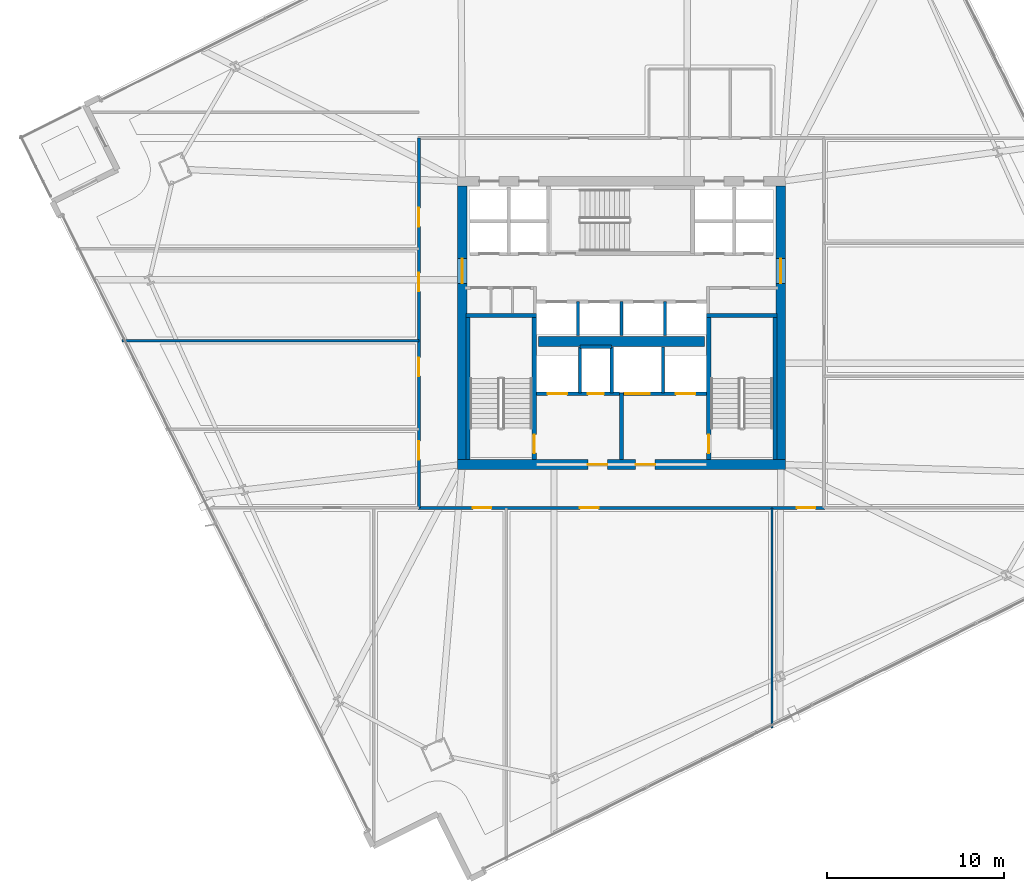
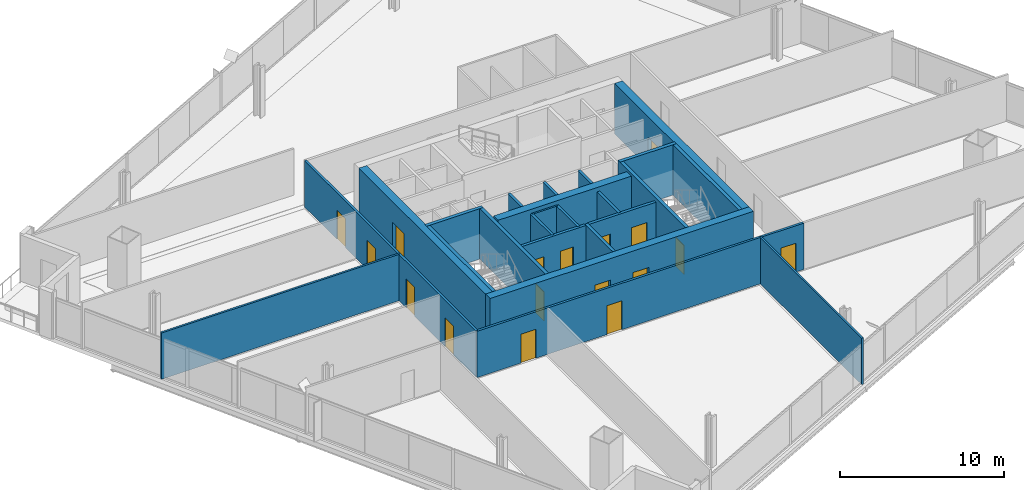
# One storey, part 26 of 35: 24 walls, 17 doors, 17 openings.
"""IFC4 building model written with IfcOpenShell, lengths in metres."""

import ifcopenshell
import ifcopenshell.guid

model = None  # the IFC model being written
_history = None  # IfcOwnerHistory: only IFC2X3 demands one
_inside = {}  # id of a spatial element -> (the spatial element, [elements in it])
_under = {}  # id of a project, library or spatial element -> (it, [spatial elements below it])
_declared = {}  # id of a project -> (the project, [libraries it declares])
_typed = {}  # id of a type object -> (the type object, [elements of that type])
_made_of = {}  # id of a material, layer set ... -> (it, [elements and type objects made of it])


def new_model(schema):
    """Start an empty IFC model of exactly this schema.

    Asked for "IFC4X3", IfcOpenShell would pick the latest addendum, in which some entities
    have other attributes; the version numbers below select the first issue.
    IFC2X3 requires an IfcOwnerHistory on every rooted entity: one is made here for all.
    """
    global model, _history
    if schema == "IFC4X3":
        model = ifcopenshell.file(schema_version=(4, 3, 0, 0))
    else:
        model = ifcopenshell.file(schema=schema)
    _inside.clear()
    _under.clear()
    _declared.clear()
    _typed.clear()
    _made_of.clear()
    _history = None
    if model.schema == "IFC2X3":
        org = make("IfcOrganization", Name="unknown")
        user = make(
            "IfcPersonAndOrganization",
            ThePerson=make("IfcPerson", FamilyName="unknown"),
            TheOrganization=org,
        )
        app = make(
            "IfcApplication",
            ApplicationDeveloper=org,
            Version="unknown",
            ApplicationFullName="unknown",
            ApplicationIdentifier="unknown",
        )
        _history = make(
            "IfcOwnerHistory",
            OwningUser=user,
            OwningApplication=app,
            ChangeAction="ADDED",
            CreationDate=0,
        )
    return model


def make(cls, **values):
    """One entity of the class cls with the attributes given. An attribute that is None is left unset."""
    return model.create_entity(
        cls, **{name: value for name, value in values.items() if value is not None}
    )


def rooted(cls, **values):
    """An entity with a GlobalId (a new one), such as an element, a storey or a relation."""
    return make(cls, GlobalId=ifcopenshell.guid.new(), OwnerHistory=_history, **values)


def si_unit(unit_type, name, prefix=None):
    """IfcSIUnit, for example si_unit("LENGTHUNIT", "METRE", prefix="MILLI")."""
    return make("IfcSIUnit", UnitType=unit_type, Prefix=prefix, Name=name)


def assignment(units):
    """IfcUnitAssignment: the units of a project."""
    return None if units is None else make("IfcUnitAssignment", Units=units)


def point(xyz):
    """IfcCartesianPoint."""
    return None if xyz is None else make("IfcCartesianPoint", Coordinates=xyz)


def direction(xyz):
    """IfcDirection."""
    return None if xyz is None else make("IfcDirection", DirectionRatios=xyz)


def frame(location, z_axis=None, x_axis=None):
    """IfcAxis2Placement3D, a coordinate frame: its origin and axes. An axis left out is left unset."""
    return make(
        "IfcAxis2Placement3D",
        Location=point(location),
        Axis=direction(z_axis),
        RefDirection=direction(x_axis),
    )


def frame_2d(location, x_axis=None):
    """IfcAxis2Placement2D, a coordinate frame in the plane: its origin and x axis."""
    return make(
        "IfcAxis2Placement2D", Location=point(location), RefDirection=direction(x_axis)
    )


def origin():
    """The frame at (0, 0, 0) with its axes left unset."""
    return frame((0.0, 0.0, 0.0))


def place(relative_to, where):
    """IfcLocalPlacement: puts the frame where relative to a parent placement (None: the world)."""
    return make(
        "IfcLocalPlacement", PlacementRelTo=relative_to, RelativePlacement=where
    )


def context(
    kind, dimensions, precision=None, world=None, true_north=None, identifier=None
):
    """IfcGeometricRepresentationContext, for example the 3D "Model" context."""
    return make(
        "IfcGeometricRepresentationContext",
        ContextIdentifier=identifier,
        ContextType=kind,
        CoordinateSpaceDimension=dimensions,
        Precision=precision,
        WorldCoordinateSystem=world,
        TrueNorth=true_north,
    )


def subcontext(parent, identifier, kind, view, scale=None):
    """IfcGeometricRepresentationSubContext, for example "Body" below "Model"."""
    return make(
        "IfcGeometricRepresentationSubContext",
        ContextIdentifier=identifier,
        ContextType=kind,
        ParentContext=parent,
        TargetScale=scale,
        TargetView=view,
    )


def project(units=None, contexts=None):
    """IfcProject with its units and contexts."""
    return rooted(
        "IfcProject",
        Name="project",
        RepresentationContexts=contexts,
        UnitsInContext=assignment(units),
    )


def spatial(cls, under=None, at=None, **own):
    """A site, building, storey or space (cls), placed at a placement, below another one or the project."""
    s = rooted(cls, ObjectPlacement=at, **own)
    if under is not None:
        _under.setdefault(under.id(), (under, []))[1].append(s)
    return s


def profile(cls, at=None, kind="AREA", **sizes):
    """A parametric profile (cls). Its sizes go by their IFC names, for example OverallWidth=200.0."""
    return make(cls, ProfileType=kind, Position=at, **sizes)


def rectangle(**sizes):
    """IfcRectangleProfileDef."""
    return profile("IfcRectangleProfileDef", **sizes)


def extrude(swept, where, along, depth):
    """IfcExtrudedAreaSolid: the profile swept, set in the frame where, extruded along a direction by depth."""
    return make(
        "IfcExtrudedAreaSolid",
        SweptArea=swept,
        Position=where,
        ExtrudedDirection=direction(along),
        Depth=depth,
    )


def shape(context_of_items, identifier, shape_type, items):
    """IfcShapeRepresentation: the items that make up one representation, for example the "Body"."""
    return make(
        "IfcShapeRepresentation",
        ContextOfItems=context_of_items,
        RepresentationIdentifier=identifier,
        RepresentationType=shape_type,
        Items=items,
    )


def material(Name=None, Category=None):
    """IfcMaterial."""
    return make("IfcMaterial", Name=Name, Category=Category)


def layer(
    of_material, thickness, ventilated=None, Name=None, Category=None, Priority=None
):
    """IfcMaterialLayer: one layer of a wall or slab, of a material (None: an air gap)."""
    return make(
        "IfcMaterialLayer",
        Material=of_material,
        LayerThickness=thickness,
        IsVentilated=ventilated,
        Name=Name,
        Category=Category,
        Priority=Priority,
    )


def layer_set(layers, Name=None):
    """IfcMaterialLayerSet."""
    return make("IfcMaterialLayerSet", MaterialLayers=layers, LayerSetName=Name)


def made_of(thing, what):
    """Note that an element or type object is made of a material, layer set ...; save() writes the relation."""
    if what is not None:
        _made_of.setdefault(what.id(), (what, []))[1].append(thing)
    return thing


def type_object(cls, material=None, **own):
    """A type object (cls), such as IfcWallType, which elements share."""
    return made_of(rooted(cls, **own), material)


def element(
    cls,
    number,
    at=None,
    inside=None,
    cuts=None,
    type_object=None,
    material=None,
    context=None,
    identifier="Body",
    shape_type=None,
    held_by="IfcProductDefinitionShape",
    body=None,
    shapes=None,
    **own,
):
    """One element of the class cls, such as IfcWall. Its Tag is "e" and its number.

    at: its placement. inside: the storey or other place that contains it. cuts: it is an
    opening in that element (IfcRelVoidsElement). A single representation is given by context,
    identifier, shape_type and body (its items); several are given by shapes. held_by: the class
    of the entity that holds the representations. save() writes the other relations.
    """
    e = rooted(cls, Tag="e%d" % number, ObjectPlacement=at, **own)
    if body is not None:
        shapes = [shape(context, identifier, shape_type, body)]
    if shapes is not None:
        e.Representation = make(held_by, Representations=shapes)
    if inside is not None:
        _inside.setdefault(inside.id(), (inside, []))[1].append(e)
    if cuts is not None:
        rooted(
            "IfcRelVoidsElement", RelatingBuildingElement=cuts, RelatedOpeningElement=e
        )
    if type_object is not None:
        _typed.setdefault(type_object.id(), (type_object, []))[1].append(e)
    return made_of(e, material)


def fill(opening, filler):
    """IfcRelFillsElement: the door or window that sits in an opening."""
    return rooted(
        "IfcRelFillsElement",
        RelatingOpeningElement=opening,
        RelatedBuildingElement=filler,
    )


def aggregate(whole, parts):
    """IfcRelAggregates: a whole, such as a stair, and the parts it consists of."""
    return rooted("IfcRelAggregates", RelatingObject=whole, RelatedObjects=parts)


def save(model, path):
    """Write the relations noted so far, then the file.

    IfcRelAggregates (storeys below a building ...), IfcRelContainedInSpatialStructure (elements
    in a storey), IfcRelDefinesByType, IfcRelAssociatesMaterial and IfcRelDeclares: one each for
    every whole, place, type object, material and project.
    """
    for whole, parts in _under.values():
        aggregate(whole, parts)
    for where, things in _inside.values():
        rooted(
            "IfcRelContainedInSpatialStructure",
            RelatedElements=things,
            RelatingStructure=where,
        )
    for kind, things in _typed.values():
        rooted("IfcRelDefinesByType", RelatedObjects=things, RelatingType=kind)
    for what, things in _made_of.values():
        rooted("IfcRelAssociatesMaterial", RelatedObjects=things, RelatingMaterial=what)
    for by, libraries in _declared.values():
        rooted("IfcRelDeclares", RelatingContext=by, RelatedDefinitions=libraries)
    model.write(path)


model = new_model("IFC4")

# Units and contexts
model_context = context("Model", 3, precision=1e-05, world=origin(), true_north=direction((0.0, 1.0)))
body_context = subcontext(model_context, "Body", "Model", "MODEL_VIEW")
ifc_project = project(units=[si_unit("LENGTHUNIT", "METRE"), si_unit("AREAUNIT", "SQUARE_METRE"), si_unit("VOLUMEUNIT", "CUBIC_METRE"), si_unit("PLANEANGLEUNIT", "RADIAN"), si_unit("MASSUNIT", "GRAM", prefix="KILO")], contexts=[model_context])

# Site, building, storey
site_placement = place(None, origin())
site = spatial("IfcSite", under=ifc_project, at=site_placement, CompositionType="ELEMENT")
building_placement = place(site_placement, origin())
building = spatial("IfcBuilding", under=site, at=building_placement, Name="Haldenkirk Collegiate Tower", CompositionType="ELEMENT")
storey_placement = place(building_placement, frame((0.0, 0.0, 116.699951171875)))
storey = spatial("IfcBuildingStorey", under=building, at=storey_placement, Name="L28", CompositionType="ELEMENT", Elevation=116.699951171875)

# Wall, openings, doors
ifc_material_1 = material(Name="Concrete f'c 70 MPa", Category="concrete")
ifc_layer_1 = layer(ifc_material_1, 0.550048828125)
ifc_layer_set_1 = layer_set([ifc_layer_1], Name="Concrete f'c 70 MPa")
wall_type_1 = type_object("IfcWallType", Name="WL-CORE-550", PredefinedType="SHEAR", material=ifc_layer_set_1)
wall_1_placement = place(storey_placement, frame((26.72509765625, 18.0, 0.0), z_axis=(0.0, 0.0, 1.0), x_axis=(1.0, 0.0, 0.0)))
wall_1 = element("IfcWall", 1, at=wall_1_placement, inside=storey, type_object=wall_type_1, Name="L28 central core shear wall S", PredefinedType="SHEAR", context=body_context, shape_type="SweptSolid", body=[
    extrude(rectangle(XDim=18.5498046875, YDim=0.550048828125, at=frame_2d((9.27490234375, 0.0))), origin(), (0.0, 0.0, 1.0), 3.75),
])
opening_1_placement = place(wall_1_placement, frame((7.375, 0.0, 0.0)))
opening_1 = element("IfcOpeningElement", 2, at=opening_1_placement, cuts=wall_1, Name="Opening D-02", PredefinedType="OPENING", context=body_context, shape_type="SweptSolid", body=[
    extrude(rectangle(XDim=1.10009765625, YDim=2.14990234375, at=frame_2d((0.550048828125, 1.074951171875))), frame((0.0, 0.284912109375, 0.0), z_axis=(0.0, -1.0, 0.0), x_axis=(1.0, 0.0, 0.0)), (0.0, 0.0, 1.0), 0.570068359375),
])
opening_2_placement = place(wall_1_placement, frame((10.074951171875, 0.0, 0.0)))
opening_2 = element("IfcOpeningElement", 3, at=opening_2_placement, cuts=wall_1, Name="Opening D-02", PredefinedType="OPENING", context=body_context, shape_type="SweptSolid", body=[
    extrude(rectangle(XDim=1.10009765625, YDim=2.14990234375, at=frame_2d((0.550048828125, 1.074951171875))), frame((0.0, 0.284912109375, 0.0), z_axis=(0.0, -1.0, 0.0), x_axis=(1.0, 0.0, 0.0)), (0.0, 0.0, 1.0), 0.570068359375),
])
ifc_material_2 = material(Name="Galvanized fire-rated hollow steel door", Category="steel")
ifc_layer_2 = layer(ifc_material_2, 0.06005859375)
ifc_layer_set_2 = layer_set([ifc_layer_2], Name="Galvanized fire-rated hollow steel door")
door_type_1 = type_object("IfcDoorType", Name="DR-STAIR-FD90-1100", OperationType="NOTDEFINED", PredefinedType="DOOR", material=ifc_layer_set_2)
door_1_placement = place(opening_1_placement, origin())
door_1 = element("IfcDoor", 4, at=door_1_placement, inside=storey, type_object=door_type_1, Name="L28 Firefighting Lobby 1 door", OperationType="SINGLE_SWING_LEFT", OverallHeight=2.14990234375, OverallWidth=1.10009765625, PredefinedType="DOOR", context=body_context, shape_type="SweptSolid", body=[
    extrude(rectangle(XDim=1.10009765625, YDim=2.14990234375, at=frame_2d((0.550048828125, 1.074951171875))), frame((0.0, 0.02490234375, 0.0), z_axis=(0.0, -1.0, 0.0), x_axis=(1.0, 0.0, 0.0)), (0.0, 0.0, 1.0), 0.050048828125),
])
fill(opening_1, door_1)
door_2_placement = place(opening_2_placement, origin())
door_2 = element("IfcDoor", 5, at=door_2_placement, inside=storey, type_object=door_type_1, Name="L28 Firefighting Lobby 2 door", OperationType="SINGLE_SWING_RIGHT", OverallHeight=2.14990234375, OverallWidth=1.10009765625, PredefinedType="DOOR", context=body_context, shape_type="SweptSolid", body=[
    extrude(rectangle(XDim=1.10009765625, YDim=2.14990234375, at=frame_2d((0.550048828125, 1.074951171875))), frame((0.0, 0.02490234375, 0.0), z_axis=(0.0, -1.0, 0.0), x_axis=(1.0, 0.0, 0.0)), (0.0, 0.0, 1.0), 0.050048828125),
])
fill(opening_2, door_2)

# Wall, opening, door
wall_2_placement = place(storey_placement, frame((27.0, 18.27490234375, 0.0), z_axis=(0.0, 0.0, 1.0), x_axis=(0.0, 1.0, 0.0)))
wall_2 = element("IfcWall", 6, at=wall_2_placement, inside=storey, type_object=wall_type_1, Name="L28 central core shear wall W", PredefinedType="SHEAR", context=body_context, shape_type="SweptSolid", body=[
    extrude(rectangle(XDim=15.4501953125, YDim=0.550048828125, at=frame_2d((7.72509765625, 0.0))), origin(), (0.0, 0.0, 1.0), 3.75),
])
opening_3_placement = place(wall_2_placement, frame((9.965087890625, 0.0, 0.0)))
opening_3 = element("IfcOpeningElement", 7, at=opening_3_placement, cuts=wall_2, Name="Opening D-03", PredefinedType="OPENING", context=body_context, shape_type="SweptSolid", body=[
    extrude(rectangle(XDim=1.39990234375, YDim=2.199951171875, at=frame_2d((0.699951171875, 1.10009765625))), frame((0.0, 0.284912109375, 0.0), z_axis=(0.0, -1.0, 0.0), x_axis=(1.0, 0.0, 0.0)), (0.0, 0.0, 1.0), 0.570068359375),
])
ifc_layer_3 = layer(ifc_material_2, 0.06005859375)
ifc_layer_set_3 = layer_set([ifc_layer_3], Name="Galvanized fire-rated hollow steel door")
door_type_2 = type_object("IfcDoorType", Name="DR-LOBBY-FD90-1400", OperationType="NOTDEFINED", PredefinedType="DOOR", material=ifc_layer_set_3)
door_3_placement = place(opening_3_placement, origin())
door_3 = element("IfcDoor", 8, at=door_3_placement, inside=storey, type_object=door_type_2, Name="L28 west lift lobby portal", OperationType="DOUBLE_DOOR_SINGLE_SWING", OverallHeight=2.199951171875, OverallWidth=1.39990234375, PredefinedType="DOOR", context=body_context, shape_type="SweptSolid", body=[
    extrude(rectangle(XDim=1.39990234375, YDim=2.199951171875, at=frame_2d((0.699951171875, 1.10009765625))), frame((0.0, 0.02490234375, 0.0), z_axis=(0.0, -1.0, 0.0), x_axis=(1.0, 0.0, 0.0)), (0.0, 0.0, 1.0), 0.050048828125),
])
fill(opening_3, door_3)

wall_3_placement = place(storey_placement, frame((45.0, 18.27490234375, 0.0), z_axis=(0.0, 0.0, 1.0), x_axis=(0.0, 1.0, 0.0)))
wall_3 = element("IfcWall", 9, at=wall_3_placement, inside=storey, type_object=wall_type_1, Name="L28 central core shear wall E", PredefinedType="SHEAR", context=body_context, shape_type="SweptSolid", body=[
    extrude(rectangle(XDim=15.4501953125, YDim=0.550048828125, at=frame_2d((7.72509765625, 0.0))), origin(), (0.0, 0.0, 1.0), 3.75),
])
opening_4_placement = place(wall_3_placement, frame((9.965087890625, 0.0, 0.0)))
opening_4 = element("IfcOpeningElement", 10, at=opening_4_placement, cuts=wall_3, Name="Opening D-03", PredefinedType="OPENING", context=body_context, shape_type="SweptSolid", body=[
    extrude(rectangle(XDim=1.39990234375, YDim=2.199951171875, at=frame_2d((0.699951171875, 1.10009765625))), frame((0.0, 0.284912109375, 0.0), z_axis=(0.0, -1.0, 0.0), x_axis=(1.0, 0.0, 0.0)), (0.0, 0.0, 1.0), 0.570068359375),
])
door_4_placement = place(opening_4_placement, origin())
door_4 = element("IfcDoor", 11, at=door_4_placement, inside=storey, type_object=door_type_2, Name="L28 east lift lobby portal", OperationType="DOUBLE_DOOR_SINGLE_SWING", OverallHeight=2.199951171875, OverallWidth=1.39990234375, PredefinedType="DOOR", context=body_context, shape_type="SweptSolid", body=[
    extrude(rectangle(XDim=1.39990234375, YDim=2.199951171875, at=frame_2d((0.699951171875, 1.10009765625))), frame((0.0, 0.02490234375, 0.0), z_axis=(0.0, -1.0, 0.0), x_axis=(1.0, 0.0, 0.0)), (0.0, 0.0, 1.0), 0.050048828125),
])
fill(opening_4, door_4)

# Wall
wall_4_placement = place(storey_placement, frame((31.31005859375, 24.949951171875, 0.0), z_axis=(0.0, 0.0, 1.0), x_axis=(1.0, 0.0, 0.0)))
element("IfcWall", 12, at=wall_4_placement, inside=storey, type_object=wall_type_1, Name="L28 central core spine shear wall", PredefinedType="SHEAR", context=body_context, shape_type="SweptSolid", body=[
    extrude(rectangle(XDim=9.3798828125, YDim=0.550048828125, at=frame_2d((4.68994140625, 0.0))), origin(), (0.0, 0.0, 1.0), 3.75),
])

# Wall, openings, doors
ifc_material_3 = material(Name="Acoustic fire-rated gypsum partition", Category="concrete")
ifc_layer_4 = layer(ifc_material_3, 0.159912109375)
ifc_layer_set_4 = layer_set([ifc_layer_4], Name="Acoustic fire-rated gypsum partition")
wall_type_2 = type_object("IfcWallType", Name="WL-INT-CORR-160", PredefinedType="PARTITIONING", material=ifc_layer_set_4)
wall_5_placement = place(storey_placement, frame((24.5, 15.550048828125, 0.0), z_axis=(0.0, 0.0, 1.0), x_axis=(1.0, 0.0, 0.0)))
wall_5 = element("IfcWall", 13, at=wall_5_placement, inside=storey, type_object=wall_type_2, Name="L28 interior partition IW-L28-CS", PredefinedType="PARTITIONING", context=body_context, shape_type="SweptSolid", body=[
    extrude(rectangle(XDim=23.0, YDim=0.159912109375, at=frame_2d((11.5, 0.0))), origin(), (0.0, 0.0, 1.0), 3.449951171875),
])
opening_5_placement = place(wall_5_placement, frame((3.10107421875, 0.0, 0.0)))
opening_5 = element("IfcOpeningElement", 14, at=opening_5_placement, cuts=wall_5, Name="Opening D-09", PredefinedType="OPENING", context=body_context, shape_type="SweptSolid", body=[
    extrude(rectangle(XDim=1.050048828125, YDim=2.14990234375, at=frame_2d((0.52490234375, 1.074951171875))), frame((0.0, 0.08984375, 0.0), z_axis=(0.0, -1.0, 0.0), x_axis=(1.0, 0.0, 0.0)), (0.0, 0.0, 1.0), 0.179931640625),
])
opening_6_placement = place(wall_5_placement, frame((9.155029296875, 0.0, 0.0)))
opening_6 = element("IfcOpeningElement", 15, at=opening_6_placement, cuts=wall_5, Name="Opening D-09", PredefinedType="OPENING", context=body_context, shape_type="SweptSolid", body=[
    extrude(rectangle(XDim=1.050048828125, YDim=2.14990234375, at=frame_2d((0.52490234375, 1.074951171875))), frame((0.0, 0.08984375, 0.0), z_axis=(0.0, -1.0, 0.0), x_axis=(1.0, 0.0, 0.0)), (0.0, 0.0, 1.0), 0.179931640625),
])
opening_7_placement = place(wall_5_placement, frame((21.408935546875, 0.0, 0.0)))
opening_7 = element("IfcOpeningElement", 16, at=opening_7_placement, cuts=wall_5, Name="Opening D-09", PredefinedType="OPENING", context=body_context, shape_type="SweptSolid", body=[
    extrude(rectangle(XDim=1.050048828125, YDim=2.14990234375, at=frame_2d((0.52490234375, 1.074951171875))), frame((0.0, 0.08984375, 0.0), z_axis=(0.0, -1.0, 0.0), x_axis=(1.0, 0.0, 0.0)), (0.0, 0.0, 1.0), 0.179931640625),
])
ifc_material_4 = material(Name="Solid-core architectural oak fire door", Category="wood")
ifc_layer_5 = layer(ifc_material_4, 0.06005859375)
ifc_layer_set_5 = layer_set([ifc_layer_5], Name="Solid-core architectural oak fire door")
door_type_3 = type_object("IfcDoorType", Name="DR-INT-FD60-1050", OperationType="NOTDEFINED", PredefinedType="DOOR", material=ifc_layer_set_5)
door_5_placement = place(opening_5_placement, origin())
door_5 = element("IfcDoor", 17, at=door_5_placement, inside=storey, type_object=door_type_3, Name="L28 Student Reading Lounge 2 door", OperationType="SINGLE_SWING_RIGHT", OverallHeight=2.14990234375, OverallWidth=1.050048828125, PredefinedType="DOOR", context=body_context, shape_type="SweptSolid", body=[
    extrude(rectangle(XDim=1.050048828125, YDim=2.14990234375, at=frame_2d((0.52490234375, 1.074951171875))), frame((0.0, 0.02490234375, 0.0), z_axis=(0.0, -1.0, 0.0), x_axis=(1.0, 0.0, 0.0)), (0.0, 0.0, 1.0), 0.050048828125),
])
fill(opening_5, door_5)
door_6_placement = place(opening_6_placement, origin())
door_6 = element("IfcDoor", 18, at=door_6_placement, inside=storey, type_object=door_type_3, Name="L28 Graduate Study Lounge 3 door", OperationType="SINGLE_SWING_LEFT", OverallHeight=2.14990234375, OverallWidth=1.050048828125, PredefinedType="DOOR", context=body_context, shape_type="SweptSolid", body=[
    extrude(rectangle(XDim=1.050048828125, YDim=2.14990234375, at=frame_2d((0.52490234375, 1.074951171875))), frame((0.0, 0.02490234375, 0.0), z_axis=(0.0, -1.0, 0.0), x_axis=(1.0, 0.0, 0.0)), (0.0, 0.0, 1.0), 0.050048828125),
])
fill(opening_6, door_6)
door_7_placement = place(opening_7_placement, origin())
door_7 = element("IfcDoor", 19, at=door_7_placement, inside=storey, type_object=door_type_3, Name="L28 Faculty Club Lounge 4 door", OperationType="SINGLE_SWING_RIGHT", OverallHeight=2.14990234375, OverallWidth=1.050048828125, PredefinedType="DOOR", context=body_context, shape_type="SweptSolid", body=[
    extrude(rectangle(XDim=1.050048828125, YDim=2.14990234375, at=frame_2d((0.52490234375, 1.074951171875))), frame((0.0, 0.02490234375, 0.0), z_axis=(0.0, -1.0, 0.0), x_axis=(1.0, 0.0, 0.0)), (0.0, 0.0, 1.0), 0.050048828125),
])
fill(opening_7, door_7)

wall_6_placement = place(storey_placement, frame((24.550048828125, 15.550048828125, 0.0), z_axis=(0.0, 0.0, 1.0), x_axis=(0.0, 1.0, 0.0)))
wall_6 = element("IfcWall", 20, at=wall_6_placement, inside=storey, type_object=wall_type_2, Name="L28 interior partition IW-L28-CW", PredefinedType="PARTITIONING", context=body_context, shape_type="SweptSolid", body=[
    extrude(rectangle(XDim=20.89990234375, YDim=0.159912109375, at=frame_2d((10.449951171875, 0.0))), origin(), (0.0, 0.0, 1.0), 3.449951171875),
])
opening_8_placement = place(wall_6_placement, frame((2.72705078125, 0.0, 0.0)))
opening_8 = element("IfcOpeningElement", 21, at=opening_8_placement, cuts=wall_6, Name="Opening D-09", PredefinedType="OPENING", context=body_context, shape_type="SweptSolid", body=[
    extrude(rectangle(XDim=1.050048828125, YDim=2.14990234375, at=frame_2d((0.52490234375, 1.074951171875))), frame((0.0, 0.08984375, 0.0), z_axis=(0.0, -1.0, 0.0), x_axis=(1.0, 0.0, 0.0)), (0.0, 0.0, 1.0), 0.179931640625),
])
opening_9_placement = place(wall_6_placement, frame((7.445068359375, 0.0, 0.0)))
opening_9 = element("IfcOpeningElement", 22, at=opening_9_placement, cuts=wall_6, Name="Opening D-09", PredefinedType="OPENING", context=body_context, shape_type="SweptSolid", body=[
    extrude(rectangle(XDim=1.050048828125, YDim=2.14990234375, at=frame_2d((0.52490234375, 1.074951171875))), frame((0.0, 0.08984375, 0.0), z_axis=(0.0, -1.0, 0.0), x_axis=(1.0, 0.0, 0.0)), (0.0, 0.0, 1.0), 0.179931640625),
])
opening_10_placement = place(wall_6_placement, frame((12.22900390625, 0.0, 0.0)))
opening_10 = element("IfcOpeningElement", 23, at=opening_10_placement, cuts=wall_6, Name="Opening D-09", PredefinedType="OPENING", context=body_context, shape_type="SweptSolid", body=[
    extrude(rectangle(XDim=1.050048828125, YDim=2.14990234375, at=frame_2d((0.52490234375, 1.074951171875))), frame((0.0, 0.08984375, 0.0), z_axis=(0.0, -1.0, 0.0), x_axis=(1.0, 0.0, 0.0)), (0.0, 0.0, 1.0), 0.179931640625),
])
opening_11_placement = place(wall_6_placement, frame((15.89892578125, 0.0, 0.0)))
opening_11 = element("IfcOpeningElement", 24, at=opening_11_placement, cuts=wall_6, Name="Opening D-09", PredefinedType="OPENING", context=body_context, shape_type="SweptSolid", body=[
    extrude(rectangle(XDim=1.050048828125, YDim=2.14990234375, at=frame_2d((0.52490234375, 1.074951171875))), frame((0.0, 0.08984375, 0.0), z_axis=(0.0, -1.0, 0.0), x_axis=(1.0, 0.0, 0.0)), (0.0, 0.0, 1.0), 0.179931640625),
])
door_8_placement = place(opening_8_placement, origin())
door_8 = element("IfcDoor", 25, at=door_8_placement, inside=storey, type_object=door_type_3, Name="L28 Scholar Lounge 6 door", OperationType="SINGLE_SWING_RIGHT", OverallHeight=2.14990234375, OverallWidth=1.050048828125, PredefinedType="DOOR", context=body_context, shape_type="SweptSolid", body=[
    extrude(rectangle(XDim=1.050048828125, YDim=2.14990234375, at=frame_2d((0.52490234375, 1.074951171875))), frame((0.0, 0.02490234375, 0.0), z_axis=(0.0, -1.0, 0.0), x_axis=(1.0, 0.0, 0.0)), (0.0, 0.0, 1.0), 0.050048828125),
])
fill(opening_8, door_8)
door_9_placement = place(opening_9_placement, origin())
door_9 = element("IfcDoor", 26, at=door_9_placement, inside=storey, type_object=door_type_3, Name="L28 Collegiate Commons Lounge 7 door", OperationType="SINGLE_SWING_LEFT", OverallHeight=2.14990234375, OverallWidth=1.050048828125, PredefinedType="DOOR", context=body_context, shape_type="SweptSolid", body=[
    extrude(rectangle(XDim=1.050048828125, YDim=2.14990234375, at=frame_2d((0.52490234375, 1.074951171875))), frame((0.0, 0.02490234375, 0.0), z_axis=(0.0, -1.0, 0.0), x_axis=(1.0, 0.0, 0.0)), (0.0, 0.0, 1.0), 0.050048828125),
])
fill(opening_9, door_9)
door_10_placement = place(opening_10_placement, origin())
door_10 = element("IfcDoor", 27, at=door_10_placement, inside=storey, type_object=door_type_3, Name="L28 Student Reading Lounge 8 door", OperationType="SINGLE_SWING_RIGHT", OverallHeight=2.14990234375, OverallWidth=1.050048828125, PredefinedType="DOOR", context=body_context, shape_type="SweptSolid", body=[
    extrude(rectangle(XDim=1.050048828125, YDim=2.14990234375, at=frame_2d((0.52490234375, 1.074951171875))), frame((0.0, 0.02490234375, 0.0), z_axis=(0.0, -1.0, 0.0), x_axis=(1.0, 0.0, 0.0)), (0.0, 0.0, 1.0), 0.050048828125),
])
fill(opening_10, door_10)
door_11_placement = place(opening_11_placement, origin())
door_11 = element("IfcDoor", 28, at=door_11_placement, inside=storey, type_object=door_type_3, Name="L28 Graduate Study Lounge 9 door", OperationType="SINGLE_SWING_LEFT", OverallHeight=2.14990234375, OverallWidth=1.050048828125, PredefinedType="DOOR", context=body_context, shape_type="SweptSolid", body=[
    extrude(rectangle(XDim=1.050048828125, YDim=2.14990234375, at=frame_2d((0.52490234375, 1.074951171875))), frame((0.0, 0.02490234375, 0.0), z_axis=(0.0, -1.0, 0.0), x_axis=(1.0, 0.0, 0.0)), (0.0, 0.0, 1.0), 0.050048828125),
])
fill(opening_11, door_11)

# Walls
ifc_layer_6 = layer(ifc_material_3, 0.139892578125)
ifc_layer_set_6 = layer_set([ifc_layer_6], Name="Acoustic fire-rated gypsum partition")
wall_type_3 = type_object("IfcWallType", Name="WL-INT-DIV-140", PredefinedType="PARTITIONING", material=ifc_layer_set_6)
wall_7_placement = place(storey_placement, frame((7.78173828125, 25.0, 0.0), z_axis=(0.0, 0.0, 1.0), x_axis=(1.0, 0.0, 0.0)))
element("IfcWall", 29, at=wall_7_placement, inside=storey, type_object=wall_type_3, Name="L28 interior partition IW-L28-RW2", PredefinedType="PARTITIONING", context=body_context, shape_type="SweptSolid", body=[
    extrude(rectangle(XDim=16.768310546875, YDim=0.139892578125, at=frame_2d((8.38427734375, 0.0))), origin(), (0.0, 0.0, 1.0), 3.449951171875),
])
ifc_material_5 = material(Name="Fire-rated gypsum shaftboard assembly", Category="concrete")
ifc_layer_7 = layer(ifc_material_5, 0.179931640625)
ifc_layer_set_7 = layer_set([ifc_layer_7], Name="Fire-rated gypsum shaftboard assembly")
wall_type_4 = type_object("IfcWallType", Name="WL-INT-SHAFT-180", PredefinedType="PARTITIONING", material=ifc_layer_set_7)
for number, where, z_axis, x_axis, name in (
    (30, (33.64990234375, 22.050048828125, 0.0), (0.0, 0.0, 1.0), (0.0, 1.0, 0.0), "L28 interior partition IW-L28-FL1E"),
    (31, (35.449951171875, 22.050048828125, 0.0), (0.0, 0.0, 1.0), (0.0, 1.0, 0.0), "L28 interior partition IW-L28-GL1W"),
):
    element("IfcWall", number, at=place(storey_placement, frame(where, z_axis=z_axis, x_axis=x_axis)), inside=storey, type_object=wall_type_4, Name=name, PredefinedType="PARTITIONING", context=body_context, shape_type="SweptSolid", body=[
        extrude(rectangle(XDim=2.599853515625, YDim=0.179931640625, at=frame_2d((1.2998046875, 0.0))), origin(), (0.0, 0.0, 1.0), 3.449951171875),
    ])
wall_8_placement = place(storey_placement, frame((33.64990234375, 24.64990234375, 0.0), z_axis=(0.0, 0.0, 1.0), x_axis=(1.0, 0.0, 0.0)))
element("IfcWall", 32, at=wall_8_placement, inside=storey, type_object=wall_type_4, Name="L28 interior partition IW-L28-RSRN", PredefinedType="PARTITIONING", context=body_context, shape_type="SweptSolid", body=[
    extrude(rectangle(XDim=1.800048828125, YDim=0.179931640625, at=frame_2d((0.89990234375, 0.0))), origin(), (0.0, 0.0, 1.0), 3.449951171875),
])
wall_9_placement = place(storey_placement, frame((38.35009765625, 22.050048828125, 0.0), z_axis=(0.0, 0.0, 1.0), x_axis=(0.0, 1.0, 0.0)))
element("IfcWall", 33, at=wall_9_placement, inside=storey, type_object=wall_type_4, Name="L28 interior partition IW-L28-GL1E", PredefinedType="PARTITIONING", context=body_context, shape_type="SweptSolid", body=[
    extrude(rectangle(XDim=2.599853515625, YDim=0.179931640625, at=frame_2d((1.2998046875, 0.0))), origin(), (0.0, 0.0, 1.0), 3.449951171875),
])
for number, where, z_axis, x_axis, name in (
    (34, (33.5400390625, 25.300048828125, 0.0), (0.0, 0.0, 1.0), (0.0, 1.0, 0.0), "L28 interior partition IW-L28-PHV1"),
    (35, (36.0, 25.300048828125, 0.0), (0.0, 0.0, 1.0), (0.0, 1.0, 0.0), "L28 interior partition IW-L28-PHV2"),
    (36, (38.4599609375, 25.300048828125, 0.0), (0.0, 0.0, 1.0), (0.0, 1.0, 0.0), "L28 interior partition IW-L28-PHV3"),
):
    element("IfcWall", number, at=place(storey_placement, frame(where, z_axis=z_axis, x_axis=x_axis)), inside=storey, type_object=wall_type_4, Name=name, PredefinedType="PARTITIONING", context=body_context, shape_type="SweptSolid", body=[
        extrude(rectangle(XDim=1.89990234375, YDim=0.179931640625, at=frame_2d((0.949951171875, 0.0))), origin(), (0.0, 0.0, 1.0), 3.449951171875),
    ])
ifc_layer_8 = layer(ifc_material_5, 0.199951171875)
ifc_layer_set_8 = layer_set([ifc_layer_8], Name="Fire-rated gypsum shaftboard assembly")
wall_type_5 = type_object("IfcWallType", Name="WL-INT-SHAFT-200", PredefinedType="PARTITIONING", material=ifc_layer_set_8)
wall_10_placement = place(storey_placement, frame((36.0, 18.280029296875, 0.0), z_axis=(0.0, 0.0, 1.0), x_axis=(0.0, 1.0, 0.0)))
element("IfcWall", 37, at=wall_10_placement, inside=storey, type_object=wall_type_5, Name="L28 interior partition IW-L28-FFLM", PredefinedType="PARTITIONING", context=body_context, shape_type="SweptSolid", body=[
    extrude(rectangle(XDim=3.77001953125, YDim=0.199951171875, at=frame_2d((1.885009765625, 0.0))), origin(), (0.0, 0.0, 1.0), 3.449951171875),
])

# Wall, openings, doors
wall_11_placement = place(storey_placement, frame((31.18994140625, 22.0, 0.0), z_axis=(0.0, 0.0, 1.0), x_axis=(1.0, 0.0, 0.0)))
wall_11 = element("IfcWall", 38, at=wall_11_placement, inside=storey, type_object=wall_type_5, Name="L28 interior partition IW-L28-FFL1N", PredefinedType="PARTITIONING", context=body_context, shape_type="SweptSolid", body=[
    extrude(rectangle(XDim=4.68994140625, YDim=0.199951171875, at=frame_2d((2.344970703125, 0.0))), origin(), (0.0, 0.0, 1.0), 3.449951171875),
])
opening_12_placement = place(wall_11_placement, frame((2.909912109375, 0.0, 0.0)))
opening_12 = element("IfcOpeningElement", 39, at=opening_12_placement, cuts=wall_11, Name="Opening D-06", PredefinedType="OPENING", context=body_context, shape_type="SweptSolid", body=[
    extrude(rectangle(XDim=0.89990234375, YDim=2.14990234375, at=frame_2d((0.449951171875, 1.074951171875))), frame((0.0, 0.10986328125, 0.0), z_axis=(0.0, -1.0, 0.0), x_axis=(1.0, 0.0, 0.0)), (0.0, 0.0, 1.0), 0.219970703125),
])
opening_13_placement = place(wall_11_placement, frame((0.635009765625, 0.0, 0.0)))
opening_13 = element("IfcOpeningElement", 40, at=opening_13_placement, cuts=wall_11, Name="Opening LD-12", PredefinedType="OPENING", context=body_context, shape_type="SweptSolid", body=[
    extrude(rectangle(XDim=1.10009765625, YDim=2.14990234375, at=frame_2d((0.550048828125, 1.074951171875))), frame((0.0, 0.10986328125, 0.0), z_axis=(0.0, -1.0, 0.0), x_axis=(1.0, 0.0, 0.0)), (0.0, 0.0, 1.0), 0.219970703125),
])
ifc_layer_9 = layer(ifc_material_2, 0.06005859375)
ifc_layer_set_9 = layer_set([ifc_layer_9], Name="Galvanized fire-rated hollow steel door")
door_type_4 = type_object("IfcDoorType", Name="DR-INT-FD90-900", OperationType="NOTDEFINED", PredefinedType="DOOR", material=ifc_layer_set_9)
door_12_placement = place(opening_12_placement, origin())
door_12 = element("IfcDoor", 41, at=door_12_placement, inside=storey, type_object=door_type_4, Name="L28 electrical riser door", OperationType="SINGLE_SWING_LEFT", OverallHeight=2.14990234375, OverallWidth=0.89990234375, PredefinedType="DOOR", context=body_context, shape_type="SweptSolid", body=[
    extrude(rectangle(XDim=0.89990234375, YDim=2.14990234375, at=frame_2d((0.449951171875, 1.074951171875))), frame((0.0, 0.02490234375, 0.0), z_axis=(0.0, -1.0, 0.0), x_axis=(1.0, 0.0, 0.0)), (0.0, 0.0, 1.0), 0.050048828125),
])
fill(opening_12, door_12)
ifc_material_6 = material(Name="Brushed architectural stainless steel", Category="steel")
ifc_layer_10 = layer(ifc_material_6, 0.06005859375)
ifc_layer_set_10 = layer_set([ifc_layer_10], Name="Brushed architectural stainless steel")
door_type_5 = type_object("IfcDoorType", Name="LD-FIRE-1100", OperationType="NOTDEFINED", PredefinedType="DOOR", material=ifc_layer_set_10)
door_13_placement = place(opening_13_placement, origin())
door_13 = element("IfcDoor", 42, at=door_13_placement, inside=storey, type_object=door_type_5, Name="L28 Elevator FL1 sliding landing door", OperationType="SLIDING_TO_LEFT", OverallHeight=2.14990234375, OverallWidth=1.10009765625, PredefinedType="DOOR", context=body_context, shape_type="SweptSolid", body=[
    extrude(rectangle(XDim=1.10009765625, YDim=2.14990234375, at=frame_2d((0.550048828125, 1.074951171875))), frame((0.0, 0.02490234375, 0.0), z_axis=(0.0, -1.0, 0.0), x_axis=(1.0, 0.0, 0.0)), (0.0, 0.0, 1.0), 0.050048828125),
])
fill(opening_13, door_13)

wall_12_placement = place(storey_placement, frame((36.1201171875, 22.0, 0.0), z_axis=(0.0, 0.0, 1.0), x_axis=(1.0, 0.0, 0.0)))
wall_12 = element("IfcWall", 43, at=wall_12_placement, inside=storey, type_object=wall_type_5, Name="L28 interior partition IW-L28-FFL2N", PredefinedType="PARTITIONING", context=body_context, shape_type="SweptSolid", body=[
    extrude(rectangle(XDim=4.68994140625, YDim=0.199951171875, at=frame_2d((2.344970703125, 0.0))), origin(), (0.0, 0.0, 1.0), 3.449951171875),
])
opening_14_placement = place(wall_12_placement, frame((2.955078125, 0.0, 0.0)))
opening_14 = element("IfcOpeningElement", 44, at=opening_14_placement, cuts=wall_12, Name="Opening LD-12", PredefinedType="OPENING", context=body_context, shape_type="SweptSolid", body=[
    extrude(rectangle(XDim=1.10009765625, YDim=2.14990234375, at=frame_2d((0.550048828125, 1.074951171875))), frame((0.0, 0.10986328125, 0.0), z_axis=(0.0, -1.0, 0.0), x_axis=(1.0, 0.0, 0.0)), (0.0, 0.0, 1.0), 0.219970703125),
])
opening_15_placement = place(wall_12_placement, frame((0.080078125, 0.0, 0.0)))
opening_15 = element("IfcOpeningElement", 45, at=opening_15_placement, cuts=wall_12, Name="Opening LD-13", PredefinedType="OPENING", context=body_context, shape_type="SweptSolid", body=[
    extrude(rectangle(XDim=1.39990234375, YDim=2.199951171875, at=frame_2d((0.699951171875, 1.10009765625))), frame((0.0, 0.10986328125, 0.0), z_axis=(0.0, -1.0, 0.0), x_axis=(1.0, 0.0, 0.0)), (0.0, 0.0, 1.0), 0.219970703125),
])
door_14_placement = place(opening_14_placement, origin())
door_14 = element("IfcDoor", 46, at=door_14_placement, inside=storey, type_object=door_type_5, Name="L28 Elevator FL2 sliding landing door", OperationType="SLIDING_TO_LEFT", OverallHeight=2.14990234375, OverallWidth=1.10009765625, PredefinedType="DOOR", context=body_context, shape_type="SweptSolid", body=[
    extrude(rectangle(XDim=1.10009765625, YDim=2.14990234375, at=frame_2d((0.550048828125, 1.074951171875))), frame((0.0, 0.02490234375, 0.0), z_axis=(0.0, -1.0, 0.0), x_axis=(1.0, 0.0, 0.0)), (0.0, 0.0, 1.0), 0.050048828125),
])
fill(opening_14, door_14)
ifc_layer_11 = layer(ifc_material_6, 0.06005859375)
ifc_layer_set_11 = layer_set([ifc_layer_11], Name="Brushed architectural stainless steel")
door_type_6 = type_object("IfcDoorType", Name="LD-GOODS-1400", OperationType="NOTDEFINED", PredefinedType="DOOR", material=ifc_layer_set_11)
door_15_placement = place(opening_15_placement, origin())
door_15 = element("IfcDoor", 47, at=door_15_placement, inside=storey, type_object=door_type_6, Name="L28 Elevator GL1 sliding landing door", OperationType="SLIDING_TO_LEFT", OverallHeight=2.199951171875, OverallWidth=1.39990234375, PredefinedType="DOOR", context=body_context, shape_type="SweptSolid", body=[
    extrude(rectangle(XDim=1.39990234375, YDim=2.199951171875, at=frame_2d((0.699951171875, 1.10009765625))), frame((0.0, 0.02490234375, 0.0), z_axis=(0.0, -1.0, 0.0), x_axis=(1.0, 0.0, 0.0)), (0.0, 0.0, 1.0), 0.050048828125),
])
fill(opening_15, door_15)

# Wall
ifc_layer_12 = layer(ifc_material_3, 0.1201171875)
ifc_layer_set_12 = layer_set([ifc_layer_12], Name="Acoustic fire-rated gypsum partition")
wall_type_6 = type_object("IfcWallType", Name="WL-INT-WET-120", PredefinedType="PARTITIONING", material=ifc_layer_set_12)
wall_13_placement = place(storey_placement, frame((44.5, 3.1044921875, 0.0), z_axis=(0.0, 0.0, 1.0), x_axis=(0.0, 1.0, 0.0)))
element("IfcWall", 48, at=wall_13_placement, inside=storey, type_object=wall_type_6, Name="L28 interior partition IW-L28-RS3", PredefinedType="PARTITIONING", context=body_context, shape_type="SweptSolid", body=[
    extrude(rectangle(XDim=12.445556640625, YDim=0.1201171875, at=frame_2d((6.22265625, 0.0))), origin(), (0.0, 0.0, 1.0), 3.449951171875),
])

# Wall, opening, door
ifc_material_7 = material(Name="Concrete f'c 55 MPa", Category="concrete")
ifc_layer_13 = layer(ifc_material_7, 0.239990234375)
ifc_layer_set_13 = layer_set([ifc_layer_13], Name="Concrete f'c 55 MPa")
wall_type_7 = type_object("IfcWallType", Name="WL-SHAFT-240", PredefinedType="SHEAR", material=ifc_layer_set_13)
wall_14_placement = place(storey_placement, frame((31.070068359375, 18.280029296875, 0.0), z_axis=(0.0, 0.0, 1.0), x_axis=(0.0, 1.0, 0.0)))
wall_14 = element("IfcWall", 49, at=wall_14_placement, inside=storey, type_object=wall_type_7, Name="L28 stair shaft shear wall SW-L28-ST1E", PredefinedType="SHEAR", context=body_context, shape_type="SweptSolid", body=[
    extrude(rectangle(XDim=8.260009765625, YDim=0.239990234375, at=frame_2d((4.1298828125, 0.0))), origin(), (0.0, 0.0, 1.0), 3.75),
])
opening_16_placement = place(wall_14_placement, frame((0.364990234375, 0.0, 0.0)))
opening_16 = element("IfcOpeningElement", 50, at=opening_16_placement, cuts=wall_14, Name="Opening D-01", PredefinedType="OPENING", context=body_context, shape_type="SweptSolid", body=[
    extrude(rectangle(XDim=1.050048828125, YDim=2.14990234375, at=frame_2d((0.52490234375, 1.074951171875))), frame((0.0, 0.1298828125, 0.0), z_axis=(0.0, -1.0, 0.0), x_axis=(1.0, 0.0, 0.0)), (0.0, 0.0, 1.0), 0.260009765625),
])
ifc_layer_14 = layer(ifc_material_2, 0.06005859375)
ifc_layer_set_14 = layer_set([ifc_layer_14], Name="Galvanized fire-rated hollow steel door")
door_type_7 = type_object("IfcDoorType", Name="DR-STAIR-FD90-1050", OperationType="NOTDEFINED", PredefinedType="DOOR", material=ifc_layer_set_14)
door_16_placement = place(opening_16_placement, origin())
door_16 = element("IfcDoor", 51, at=door_16_placement, inside=storey, type_object=door_type_7, Name="L28 Stair 1 door", OperationType="SINGLE_SWING_LEFT", OverallHeight=2.14990234375, OverallWidth=1.050048828125, PredefinedType="DOOR", context=body_context, shape_type="SweptSolid", body=[
    extrude(rectangle(XDim=1.050048828125, YDim=2.14990234375, at=frame_2d((0.52490234375, 1.074951171875))), frame((0.0, 0.02490234375, 0.0), z_axis=(0.0, -1.0, 0.0), x_axis=(1.0, 0.0, 0.0)), (0.0, 0.0, 1.0), 0.050048828125),
])
fill(opening_16, door_16)

# Walls
wall_15_placement = place(storey_placement, frame((27.2099609375, 26.419921875, 0.0), z_axis=(0.0, 0.0, 1.0), x_axis=(1.0, 0.0, 0.0)))
element("IfcWall", 52, at=wall_15_placement, inside=storey, type_object=wall_type_7, Name="L28 stair shaft shear wall SW-L28-ST1N", PredefinedType="SHEAR", context=body_context, shape_type="SweptSolid", body=[
    extrude(rectangle(XDim=3.97998046875, YDim=0.239990234375, at=frame_2d((1.989990234375, 0.0))), origin(), (0.0, 0.0, 1.0), 3.75),
])
wall_16_placement = place(storey_placement, frame((27.330078125, 18.280029296875, 0.0), z_axis=(0.0, 0.0, 1.0), x_axis=(0.0, 1.0, 0.0)))
element("IfcWall", 53, at=wall_16_placement, inside=storey, type_object=wall_type_7, Name="L28 stair shaft shear wall SW-L28-ST1W", PredefinedType="SHEAR", context=body_context, shape_type="SweptSolid", body=[
    extrude(rectangle(XDim=8.260009765625, YDim=0.239990234375, at=frame_2d((4.1298828125, 0.0))), origin(), (0.0, 0.0, 1.0), 3.75),
])

# Wall, opening, door
wall_17_placement = place(storey_placement, frame((40.929931640625, 18.280029296875, 0.0), z_axis=(0.0, 0.0, 1.0), x_axis=(0.0, 1.0, 0.0)))
wall_17 = element("IfcWall", 54, at=wall_17_placement, inside=storey, type_object=wall_type_7, Name="L28 stair shaft shear wall SW-L28-ST2W", PredefinedType="SHEAR", context=body_context, shape_type="SweptSolid", body=[
    extrude(rectangle(XDim=8.260009765625, YDim=0.239990234375, at=frame_2d((4.1298828125, 0.0))), origin(), (0.0, 0.0, 1.0), 3.75),
])
opening_17_placement = place(wall_17_placement, frame((0.364990234375, 0.0, 0.0)))
opening_17 = element("IfcOpeningElement", 55, at=opening_17_placement, cuts=wall_17, Name="Opening D-01", PredefinedType="OPENING", context=body_context, shape_type="SweptSolid", body=[
    extrude(rectangle(XDim=1.050048828125, YDim=2.14990234375, at=frame_2d((0.52490234375, 1.074951171875))), frame((0.0, 0.1298828125, 0.0), z_axis=(0.0, -1.0, 0.0), x_axis=(1.0, 0.0, 0.0)), (0.0, 0.0, 1.0), 0.260009765625),
])
door_17_placement = place(opening_17_placement, origin())
door_17 = element("IfcDoor", 56, at=door_17_placement, inside=storey, type_object=door_type_7, Name="L28 Stair 2 door", OperationType="SINGLE_SWING_RIGHT", OverallHeight=2.14990234375, OverallWidth=1.050048828125, PredefinedType="DOOR", context=body_context, shape_type="SweptSolid", body=[
    extrude(rectangle(XDim=1.050048828125, YDim=2.14990234375, at=frame_2d((0.52490234375, 1.074951171875))), frame((0.0, 0.02490234375, 0.0), z_axis=(0.0, -1.0, 0.0), x_axis=(1.0, 0.0, 0.0)), (0.0, 0.0, 1.0), 0.050048828125),
])
fill(opening_17, door_17)

# Walls
wall_18_placement = place(storey_placement, frame((40.81005859375, 26.419921875, 0.0), z_axis=(0.0, 0.0, 1.0), x_axis=(1.0, 0.0, 0.0)))
element("IfcWall", 57, at=wall_18_placement, inside=storey, type_object=wall_type_7, Name="L28 stair shaft shear wall SW-L28-ST2N", PredefinedType="SHEAR", context=body_context, shape_type="SweptSolid", body=[
    extrude(rectangle(XDim=3.97998046875, YDim=0.239990234375, at=frame_2d((1.989990234375, 0.0))), origin(), (0.0, 0.0, 1.0), 3.75),
])
wall_19_placement = place(storey_placement, frame((44.669921875, 18.280029296875, 0.0), z_axis=(0.0, 0.0, 1.0), x_axis=(0.0, 1.0, 0.0)))
element("IfcWall", 58, at=wall_19_placement, inside=storey, type_object=wall_type_7, Name="L28 stair shaft shear wall SW-L28-ST2E", PredefinedType="SHEAR", context=body_context, shape_type="SweptSolid", body=[
    extrude(rectangle(XDim=8.260009765625, YDim=0.239990234375, at=frame_2d((4.1298828125, 0.0))), origin(), (0.0, 0.0, 1.0), 3.75),
])

save(model, "model.ifc")
